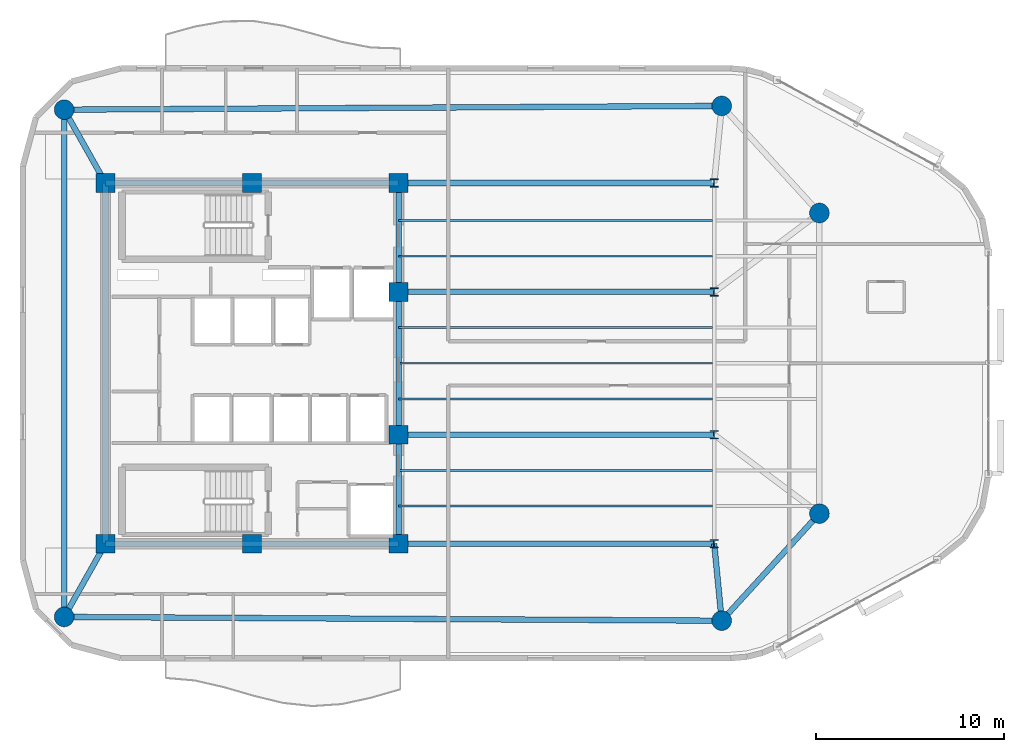
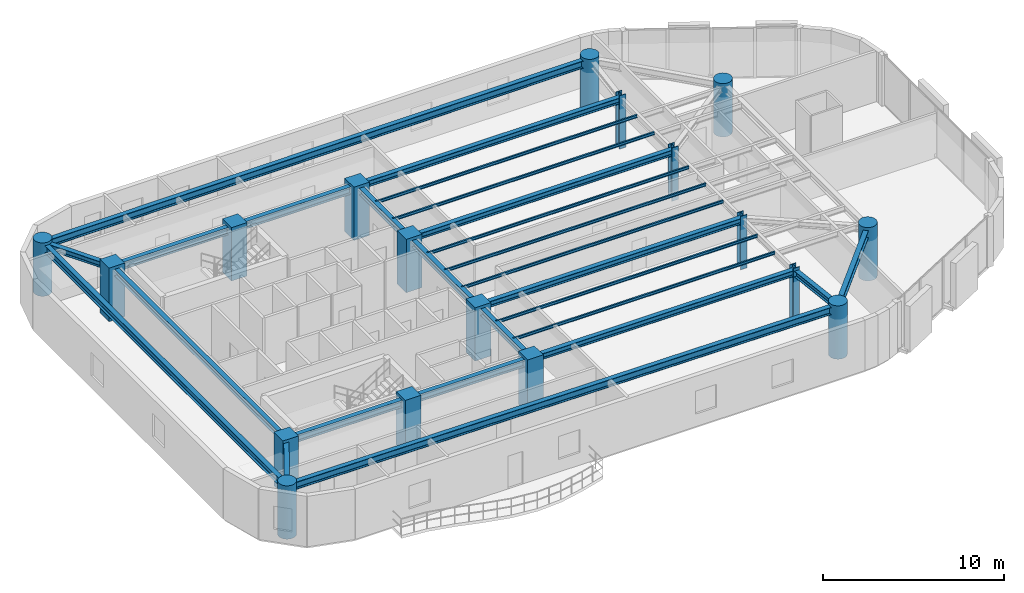
# One storey, part 1 of 13: 24 beams, 18 columns.
"""IFC4 building model written with IfcOpenShell, lengths in metres."""

import ifcopenshell
import ifcopenshell.guid

model = None  # the IFC model being written
_history = None  # IfcOwnerHistory: only IFC2X3 demands one
_inside = {}  # id of a spatial element -> (the spatial element, [elements in it])
_under = {}  # id of a project, library or spatial element -> (it, [spatial elements below it])
_declared = {}  # id of a project -> (the project, [libraries it declares])
_typed = {}  # id of a type object -> (the type object, [elements of that type])
_made_of = {}  # id of a material, layer set ... -> (it, [elements and type objects made of it])


def new_model(schema):
    """Start an empty IFC model of exactly this schema.

    Asked for "IFC4X3", IfcOpenShell would pick the latest addendum, in which some entities
    have other attributes; the version numbers below select the first issue.
    IFC2X3 requires an IfcOwnerHistory on every rooted entity: one is made here for all.
    """
    global model, _history
    if schema == "IFC4X3":
        model = ifcopenshell.file(schema_version=(4, 3, 0, 0))
    else:
        model = ifcopenshell.file(schema=schema)
    _inside.clear()
    _under.clear()
    _declared.clear()
    _typed.clear()
    _made_of.clear()
    _history = None
    if model.schema == "IFC2X3":
        org = make("IfcOrganization", Name="unknown")
        user = make(
            "IfcPersonAndOrganization",
            ThePerson=make("IfcPerson", FamilyName="unknown"),
            TheOrganization=org,
        )
        app = make(
            "IfcApplication",
            ApplicationDeveloper=org,
            Version="unknown",
            ApplicationFullName="unknown",
            ApplicationIdentifier="unknown",
        )
        _history = make(
            "IfcOwnerHistory",
            OwningUser=user,
            OwningApplication=app,
            ChangeAction="ADDED",
            CreationDate=0,
        )
    return model


def make(cls, **values):
    """One entity of the class cls with the attributes given. An attribute that is None is left unset."""
    return model.create_entity(
        cls, **{name: value for name, value in values.items() if value is not None}
    )


def rooted(cls, **values):
    """An entity with a GlobalId (a new one), such as an element, a storey or a relation."""
    return make(cls, GlobalId=ifcopenshell.guid.new(), OwnerHistory=_history, **values)


def si_unit(unit_type, name, prefix=None):
    """IfcSIUnit, for example si_unit("LENGTHUNIT", "METRE", prefix="MILLI")."""
    return make("IfcSIUnit", UnitType=unit_type, Prefix=prefix, Name=name)


def assignment(units):
    """IfcUnitAssignment: the units of a project."""
    return None if units is None else make("IfcUnitAssignment", Units=units)


def point(xyz):
    """IfcCartesianPoint."""
    return None if xyz is None else make("IfcCartesianPoint", Coordinates=xyz)


def direction(xyz):
    """IfcDirection."""
    return None if xyz is None else make("IfcDirection", DirectionRatios=xyz)


def frame(location, z_axis=None, x_axis=None):
    """IfcAxis2Placement3D, a coordinate frame: its origin and axes. An axis left out is left unset."""
    return make(
        "IfcAxis2Placement3D",
        Location=point(location),
        Axis=direction(z_axis),
        RefDirection=direction(x_axis),
    )


def frame_2d(location, x_axis=None):
    """IfcAxis2Placement2D, a coordinate frame in the plane: its origin and x axis."""
    return make(
        "IfcAxis2Placement2D", Location=point(location), RefDirection=direction(x_axis)
    )


def origin():
    """The frame at (0, 0, 0) with its axes left unset."""
    return frame((0.0, 0.0, 0.0))


def origin_2d():
    """The frame at (0, 0) in the plane with its x axis left unset."""
    return frame_2d((0.0, 0.0))


def place(relative_to, where):
    """IfcLocalPlacement: puts the frame where relative to a parent placement (None: the world)."""
    return make(
        "IfcLocalPlacement", PlacementRelTo=relative_to, RelativePlacement=where
    )


def context(
    kind, dimensions, precision=None, world=None, true_north=None, identifier=None
):
    """IfcGeometricRepresentationContext, for example the 3D "Model" context."""
    return make(
        "IfcGeometricRepresentationContext",
        ContextIdentifier=identifier,
        ContextType=kind,
        CoordinateSpaceDimension=dimensions,
        Precision=precision,
        WorldCoordinateSystem=world,
        TrueNorth=true_north,
    )


def subcontext(parent, identifier, kind, view, scale=None):
    """IfcGeometricRepresentationSubContext, for example "Body" below "Model"."""
    return make(
        "IfcGeometricRepresentationSubContext",
        ContextIdentifier=identifier,
        ContextType=kind,
        ParentContext=parent,
        TargetScale=scale,
        TargetView=view,
    )


def project(units=None, contexts=None):
    """IfcProject with its units and contexts."""
    return rooted(
        "IfcProject",
        Name="project",
        RepresentationContexts=contexts,
        UnitsInContext=assignment(units),
    )


def spatial(cls, under=None, at=None, **own):
    """A site, building, storey or space (cls), placed at a placement, below another one or the project."""
    s = rooted(cls, ObjectPlacement=at, **own)
    if under is not None:
        _under.setdefault(under.id(), (under, []))[1].append(s)
    return s


def profile(cls, at=None, kind="AREA", **sizes):
    """A parametric profile (cls). Its sizes go by their IFC names, for example OverallWidth=200.0."""
    return make(cls, ProfileType=kind, Position=at, **sizes)


def rectangle(**sizes):
    """IfcRectangleProfileDef."""
    return profile("IfcRectangleProfileDef", **sizes)


def circle(**sizes):
    """IfcCircleProfileDef."""
    return profile("IfcCircleProfileDef", **sizes)


def i_section(**sizes):
    """IfcIShapeProfileDef."""
    return profile("IfcIShapeProfileDef", **sizes)


def extrude(swept, where, along, depth):
    """IfcExtrudedAreaSolid: the profile swept, set in the frame where, extruded along a direction by depth."""
    return make(
        "IfcExtrudedAreaSolid",
        SweptArea=swept,
        Position=where,
        ExtrudedDirection=direction(along),
        Depth=depth,
    )


def shape(context_of_items, identifier, shape_type, items):
    """IfcShapeRepresentation: the items that make up one representation, for example the "Body"."""
    return make(
        "IfcShapeRepresentation",
        ContextOfItems=context_of_items,
        RepresentationIdentifier=identifier,
        RepresentationType=shape_type,
        Items=items,
    )


def material(Name=None, Category=None):
    """IfcMaterial."""
    return make("IfcMaterial", Name=Name, Category=Category)


def material_profile(
    of_material, cross_section, Name=None, Category=None, Priority=None
):
    """IfcMaterialProfile: a cross section and its material."""
    return make(
        "IfcMaterialProfile",
        Name=Name,
        Material=of_material,
        Profile=cross_section,
        Priority=Priority,
        Category=Category,
    )


def profile_set(profiles, Name=None, composite=None):
    """IfcMaterialProfileSet."""
    return make(
        "IfcMaterialProfileSet",
        Name=Name,
        MaterialProfiles=profiles,
        CompositeProfile=composite,
    )


def made_of(thing, what):
    """Note that an element or type object is made of a material, layer set ...; save() writes the relation."""
    if what is not None:
        _made_of.setdefault(what.id(), (what, []))[1].append(thing)
    return thing


def type_object(cls, material=None, **own):
    """A type object (cls), such as IfcWallType, which elements share."""
    return made_of(rooted(cls, **own), material)


def element(
    cls,
    number,
    at=None,
    inside=None,
    cuts=None,
    type_object=None,
    material=None,
    context=None,
    identifier="Body",
    shape_type=None,
    held_by="IfcProductDefinitionShape",
    body=None,
    shapes=None,
    **own,
):
    """One element of the class cls, such as IfcWall. Its Tag is "e" and its number.

    at: its placement. inside: the storey or other place that contains it. cuts: it is an
    opening in that element (IfcRelVoidsElement). A single representation is given by context,
    identifier, shape_type and body (its items); several are given by shapes. held_by: the class
    of the entity that holds the representations. save() writes the other relations.
    """
    e = rooted(cls, Tag="e%d" % number, ObjectPlacement=at, **own)
    if body is not None:
        shapes = [shape(context, identifier, shape_type, body)]
    if shapes is not None:
        e.Representation = make(held_by, Representations=shapes)
    if inside is not None:
        _inside.setdefault(inside.id(), (inside, []))[1].append(e)
    if cuts is not None:
        rooted(
            "IfcRelVoidsElement", RelatingBuildingElement=cuts, RelatedOpeningElement=e
        )
    if type_object is not None:
        _typed.setdefault(type_object.id(), (type_object, []))[1].append(e)
    return made_of(e, material)


def aggregate(whole, parts):
    """IfcRelAggregates: a whole, such as a stair, and the parts it consists of."""
    return rooted("IfcRelAggregates", RelatingObject=whole, RelatedObjects=parts)


def save(model, path):
    """Write the relations noted so far, then the file.

    IfcRelAggregates (storeys below a building ...), IfcRelContainedInSpatialStructure (elements
    in a storey), IfcRelDefinesByType, IfcRelAssociatesMaterial and IfcRelDeclares: one each for
    every whole, place, type object, material and project.
    """
    for whole, parts in _under.values():
        aggregate(whole, parts)
    for where, things in _inside.values():
        rooted(
            "IfcRelContainedInSpatialStructure",
            RelatedElements=things,
            RelatingStructure=where,
        )
    for kind, things in _typed.values():
        rooted("IfcRelDefinesByType", RelatedObjects=things, RelatingType=kind)
    for what, things in _made_of.values():
        rooted("IfcRelAssociatesMaterial", RelatedObjects=things, RelatingMaterial=what)
    for by, libraries in _declared.values():
        rooted("IfcRelDeclares", RelatingContext=by, RelatedDefinitions=libraries)
    model.write(path)


model = new_model("IFC4")

# Units and contexts
model_context = context("Model", 3, precision=1e-05, world=origin(), true_north=direction((0.0, 1.0)))
body_context = subcontext(model_context, "Body", "Model", "MODEL_VIEW")
ifc_project = project(units=[si_unit("LENGTHUNIT", "METRE"), si_unit("AREAUNIT", "SQUARE_METRE"), si_unit("VOLUMEUNIT", "CUBIC_METRE"), si_unit("PLANEANGLEUNIT", "RADIAN"), si_unit("MASSUNIT", "GRAM", prefix="KILO")], contexts=[model_context])

# Site, building, storey
site_placement = place(None, origin())
site = spatial("IfcSite", under=ifc_project, at=site_placement, CompositionType="ELEMENT")
building_placement = place(site_placement, origin())
building = spatial("IfcBuilding", under=site, at=building_placement, Name="An Khanh Terracotta Commons", CompositionType="ELEMENT")
storey_placement = place(building_placement, frame((0.0, 0.0, 201.300048828125)))
storey = spatial("IfcBuildingStorey", under=building, at=storey_placement, Name="L52", CompositionType="ELEMENT", Elevation=201.300048828125)

# Columns
ifc_material_1 = material(Name="Concrete C60/75", Category="concrete")
ifc_material_profile_1 = material_profile(ifc_material_1, circle(Radius=0.52490234375, at=origin_2d()), Name="CFST1050")
ifc_profile_set_1 = profile_set([ifc_material_profile_1], Name="Concrete C60/75")
column_type_1 = type_object("IfcColumnType", Name="COL-CFST1050", PredefinedType="COLUMN", material=ifc_profile_set_1)
for number, where, z_axis, x_axis, name in (
    (1, (19.39990234375, 10.5, 0.0), (0.0, 0.0, 1.0), (1.0, 0.0, 0.0), "L52 Perimeter CFST Mega-Column MC-01"),
    (2, (54.39990234375, 10.300048828125, 0.0), (0.0, 0.0, 1.0), (1.0, 0.0, 0.0), "L52 Perimeter CFST Mega-Column MC-02"),
    (3, (59.60009765625, 16.0, 0.0), (0.0, 0.0, 1.0), (1.0, 0.0, 0.0), "L52 Perimeter CFST Mega-Column MC-03"),
    (4, (59.60009765625, 32.0, 0.0), (0.0, 0.0, 1.0), (1.0, 0.0, 0.0), "L52 Perimeter CFST Mega-Column MC-04"),
    (5, (54.39990234375, 37.699951171875, 0.0), (0.0, 0.0, 1.0), (1.0, 0.0, 0.0), "L52 Perimeter CFST Mega-Column MC-05"),
    (6, (19.39990234375, 37.5, 0.0), (0.0, 0.0, 1.0), (1.0, 0.0, 0.0), "L52 Perimeter CFST Mega-Column MC-06"),
):
    element("IfcColumn", number, at=place(storey_placement, frame(where, z_axis=z_axis, x_axis=x_axis)), inside=storey, type_object=column_type_1, Name=name, PredefinedType="COLUMN", context=body_context, shape_type="SweptSolid", body=[
        extrude(circle(Radius=0.52490234375, at=origin_2d()), origin(), (0.0, 0.0, 1.0), 3.599853515625),
    ])
ifc_material_2 = material(Name="Steel S460ML", Category="steel")
ifc_material_profile_2 = material_profile(ifc_material_2, i_section(OverallWidth=0.406005859375, OverallDepth=0.43994140625, WebThickness=0.02392578125, FlangeThickness=0.0390625, FilletRadius=0.014892578125, at=origin_2d()), Name="HD400x314")
ifc_profile_set_2 = profile_set([ifc_material_profile_2], Name="Steel S460ML")
column_type_2 = type_object("IfcColumnType", Name="COL-HD400x314", PredefinedType="COLUMN", material=ifc_profile_set_2)
for number, where, z_axis, x_axis, name in (
    (7, (54.0, 14.39990234375, 0.0), (0.0, 0.0, 1.0), (1.0, 0.0, 0.0), "L52 Interior Frame Column TC-01"),
    (8, (54.0, 20.199951171875, 0.0), (0.0, 0.0, 1.0), (1.0, 0.0, 0.0), "L52 Interior Frame Column TC-02"),
    (9, (54.0, 27.800048828125, 0.0), (0.0, 0.0, 1.0), (1.0, 0.0, 0.0), "L52 Interior Frame Column TC-03"),
    (10, (54.0, 33.60009765625, 0.0), (0.0, 0.0, 1.0), (1.0, 0.0, 0.0), "L52 Interior Frame Column TC-04"),
):
    element("IfcColumn", number, at=place(storey_placement, frame(where, z_axis=z_axis, x_axis=x_axis)), inside=storey, type_object=column_type_2, Name=name, PredefinedType="COLUMN", context=body_context, shape_type="SweptSolid", body=[
        extrude(i_section(OverallWidth=0.406005859375, OverallDepth=0.43994140625, WebThickness=0.02392578125, FlangeThickness=0.0390625, FilletRadius=0.014892578125, at=origin_2d()), origin(), (0.0, 0.0, 1.0), 3.599853515625),
    ])
ifc_material_profile_3 = material_profile(ifc_material_1, rectangle(XDim=1.0, YDim=1.0, at=origin_2d()), Name="RC1000x1000")
ifc_profile_set_3 = profile_set([ifc_material_profile_3], Name="Concrete C60/75")
column_type_3 = type_object("IfcColumnType", Name="COL-RC1000x1000", PredefinedType="COLUMN", material=ifc_profile_set_3)
for number, where, z_axis, x_axis, name in (
    (11, (21.60009765625, 14.39990234375, 0.0), (0.0, 0.0, 1.0), (1.0, 0.0, 0.0), "L52 Core Boundary Column CC-01"),
    (12, (29.39990234375, 14.39990234375, 0.0), (0.0, 0.0, 1.0), (1.0, 0.0, 0.0), "L52 Core Boundary Column CC-02"),
    (13, (37.199951171875, 14.39990234375, 0.0), (0.0, 0.0, 1.0), (1.0, 0.0, 0.0), "L52 Core Boundary Column CC-03"),
    (14, (37.199951171875, 20.199951171875, 0.0), (0.0, 0.0, 1.0), (1.0, 0.0, 0.0), "L52 Core Boundary Column CC-04"),
    (15, (37.199951171875, 27.800048828125, 0.0), (0.0, 0.0, 1.0), (1.0, 0.0, 0.0), "L52 Core Boundary Column CC-05"),
    (16, (37.199951171875, 33.60009765625, 0.0), (0.0, 0.0, 1.0), (1.0, 0.0, 0.0), "L52 Core Boundary Column CC-06"),
    (17, (29.39990234375, 33.60009765625, 0.0), (0.0, 0.0, 1.0), (1.0, 0.0, 0.0), "L52 Core Boundary Column CC-07"),
    (18, (21.60009765625, 33.60009765625, 0.0), (0.0, 0.0, 1.0), (1.0, 0.0, 0.0), "L52 Core Boundary Column CC-08"),
):
    element("IfcColumn", number, at=place(storey_placement, frame(where, z_axis=z_axis, x_axis=x_axis)), inside=storey, type_object=column_type_3, Name=name, PredefinedType="COLUMN", context=body_context, shape_type="SweptSolid", body=[
        extrude(rectangle(XDim=1.0, YDim=1.0, at=origin_2d()), origin(), (0.0, 0.0, 1.0), 3.599853515625),
    ])

# Beams
ifc_material_3 = material(Name="Steel S355J2", Category="steel")
ifc_material_profile_4 = material_profile(ifc_material_3, i_section(OverallWidth=0.300048828125, OverallDepth=0.39990234375, WebThickness=0.013427734375, FlangeThickness=0.02392578125, FilletRadius=0.027099609375, at=origin_2d()), Name="HEB400")
ifc_profile_set_4 = profile_set([ifc_material_profile_4], Name="Steel S355J2")
beam_type_1 = type_object("IfcBeamType", Name="BM-HEB400", PredefinedType="BEAM", material=ifc_profile_set_4)
for number, where, z_axis, x_axis, name in (
    (19, (37.199951171875, 14.39990234375, 3.199951171875), (1.0, 0.0, 0.0), (0.0, 1.0, 0.0), "L52 East Primary Floor Girder 1"),
    (20, (37.199951171875, 20.199951171875, 3.199951171875), (1.0, 0.0, 0.0), (0.0, 1.0, 0.0), "L52 East Primary Floor Girder 2"),
    (21, (37.199951171875, 27.800048828125, 3.199951171875), (1.0, 0.0, 0.0), (0.0, 1.0, 0.0), "L52 East Primary Floor Girder 3"),
    (22, (37.199951171875, 33.60009765625, 3.199951171875), (1.0, 0.0, 0.0), (0.0, 1.0, 0.0), "L52 East Primary Floor Girder 4"),
):
    element("IfcBeam", number, at=place(storey_placement, frame(where, z_axis=z_axis, x_axis=x_axis)), inside=storey, type_object=beam_type_1, Name=name, PredefinedType="BEAM", context=body_context, shape_type="SweptSolid", body=[
        extrude(i_section(OverallWidth=0.300048828125, OverallDepth=0.39990234375, WebThickness=0.013427734375, FlangeThickness=0.02392578125, FilletRadius=0.027099609375, at=origin_2d()), origin(), (0.0, 0.0, 1.0), 16.800048828125),
    ])
beam_1_placement = place(storey_placement, frame((19.39990234375, 10.5, 3.199951171875), z_axis=(0.491363608436, 0.870954536302, 0.0), x_axis=(-0.870954536302, 0.491363608436, 0.0)))
element("IfcBeam", 23, at=beam_1_placement, inside=storey, type_object=beam_type_1, Name="L52 Mega-Column Tie Girder 1", PredefinedType="BEAM", context=body_context, shape_type="SweptSolid", body=[
    extrude(i_section(OverallWidth=0.300048828125, OverallDepth=0.39990234375, WebThickness=0.013427734375, FlangeThickness=0.02392578125, FilletRadius=0.027099609375, at=origin_2d()), origin(), (0.0, 0.0, 1.0), 4.477783203125),
])
beam_2_placement = place(storey_placement, frame((54.39990234375, 10.300048828125, 3.199951171875), z_axis=(-0.097079917443, 0.995276589511, 0.0), x_axis=(-0.995276589511, -0.097079917443, 0.0)))
element("IfcBeam", 24, at=beam_2_placement, inside=storey, type_object=beam_type_1, Name="L52 Mega-Column Tie Girder 2", PredefinedType="BEAM", context=body_context, shape_type="SweptSolid", body=[
    extrude(i_section(OverallWidth=0.300048828125, OverallDepth=0.39990234375, WebThickness=0.013427734375, FlangeThickness=0.02392578125, FilletRadius=0.027099609375, at=origin_2d()), origin(), (0.0, 0.0, 1.0), 4.119384765625),
])
beam_3_placement = place(storey_placement, frame((19.39990234375, 37.5, 3.199951171875), z_axis=(0.491363608436, -0.870954536302, 0.0), x_axis=(0.870954536302, 0.491363608436, 0.0)))
element("IfcBeam", 25, at=beam_3_placement, inside=storey, type_object=beam_type_1, Name="L52 Mega-Column Tie Girder 6", PredefinedType="BEAM", context=body_context, shape_type="SweptSolid", body=[
    extrude(i_section(OverallWidth=0.300048828125, OverallDepth=0.39990234375, WebThickness=0.013427734375, FlangeThickness=0.02392578125, FilletRadius=0.027099609375, at=origin_2d()), origin(), (0.0, 0.0, 1.0), 4.477783203125),
])
ifc_material_profile_5 = material_profile(ifc_material_3, i_section(OverallWidth=0.300048828125, OverallDepth=0.449951171875, WebThickness=0.013916015625, FlangeThickness=0.02587890625, FilletRadius=0.027099609375, at=origin_2d()), Name="HEB450")
ifc_profile_set_5 = profile_set([ifc_material_profile_5], Name="Steel S355J2")
beam_type_2 = type_object("IfcBeamType", Name="BM-HEB450", PredefinedType="BEAM", material=ifc_profile_set_5)
beam_4_placement = place(storey_placement, frame((37.199951171875, 14.39990234375, 3.175048828125), z_axis=(0.0, 1.0, 0.0), x_axis=(-1.0, 0.0, 0.0)))
element("IfcBeam", 26, at=beam_4_placement, inside=storey, type_object=beam_type_2, Name="L52 Core East Coupling Girder 1", PredefinedType="BEAM", context=body_context, shape_type="SweptSolid", body=[
    extrude(i_section(OverallWidth=0.300048828125, OverallDepth=0.449951171875, WebThickness=0.013916015625, FlangeThickness=0.02587890625, FilletRadius=0.027099609375, at=origin_2d()), origin(), (0.0, 0.0, 1.0), 5.800048828125),
])
beam_5_placement = place(storey_placement, frame((37.199951171875, 20.199951171875, 3.175048828125), z_axis=(0.0, 1.0, 0.0), x_axis=(-1.0, 0.0, 0.0)))
element("IfcBeam", 27, at=beam_5_placement, inside=storey, type_object=beam_type_2, Name="L52 Core East Coupling Girder 2", PredefinedType="BEAM", context=body_context, shape_type="SweptSolid", body=[
    extrude(i_section(OverallWidth=0.300048828125, OverallDepth=0.449951171875, WebThickness=0.013916015625, FlangeThickness=0.02587890625, FilletRadius=0.027099609375, at=origin_2d()), origin(), (0.0, 0.0, 1.0), 7.60009765625),
])
beam_6_placement = place(storey_placement, frame((37.199951171875, 27.800048828125, 3.175048828125), z_axis=(0.0, 1.0, 0.0), x_axis=(-1.0, 0.0, 0.0)))
element("IfcBeam", 28, at=beam_6_placement, inside=storey, type_object=beam_type_2, Name="L52 Core East Coupling Girder 3", PredefinedType="BEAM", context=body_context, shape_type="SweptSolid", body=[
    extrude(i_section(OverallWidth=0.300048828125, OverallDepth=0.449951171875, WebThickness=0.013916015625, FlangeThickness=0.02587890625, FilletRadius=0.027099609375, at=origin_2d()), origin(), (0.0, 0.0, 1.0), 5.800048828125),
])
beam_7_placement = place(storey_placement, frame((21.60009765625, 14.39990234375, 3.175048828125), z_axis=(0.0, 1.0, 0.0), x_axis=(-1.0, 0.0, 0.0)))
element("IfcBeam", 29, at=beam_7_placement, inside=storey, type_object=beam_type_2, Name="L52 Core West Coupling Girder", PredefinedType="BEAM", context=body_context, shape_type="SweptSolid", body=[
    extrude(i_section(OverallWidth=0.300048828125, OverallDepth=0.449951171875, WebThickness=0.013916015625, FlangeThickness=0.02587890625, FilletRadius=0.027099609375, at=origin_2d()), origin(), (0.0, 0.0, 1.0), 19.2001953125),
])
ifc_material_profile_6 = material_profile(ifc_material_3, i_section(OverallWidth=0.300048828125, OverallDepth=0.5, WebThickness=0.014404296875, FlangeThickness=0.028076171875, FilletRadius=0.027099609375, at=origin_2d()), Name="HEB500")
ifc_profile_set_6 = profile_set([ifc_material_profile_6], Name="Steel S355J2")
beam_type_3 = type_object("IfcBeamType", Name="BM-HEB500", PredefinedType="BEAM", material=ifc_profile_set_6)
for number, where, z_axis, x_axis, name in (
    (30, (21.60009765625, 14.39990234375, 3.14990234375), (1.0, 0.0, 0.0), (0.0, 1.0, 0.0), "L52 Core South Coupling Girder"),
    (31, (21.60009765625, 33.60009765625, 3.14990234375), (1.0, 0.0, 0.0), (0.0, 1.0, 0.0), "L52 Core North Coupling Girder"),
):
    element("IfcBeam", number, at=place(storey_placement, frame(where, z_axis=z_axis, x_axis=x_axis)), inside=storey, type_object=beam_type_3, Name=name, PredefinedType="BEAM", context=body_context, shape_type="SweptSolid", body=[
        extrude(i_section(OverallWidth=0.300048828125, OverallDepth=0.5, WebThickness=0.014404296875, FlangeThickness=0.028076171875, FilletRadius=0.027099609375, at=origin_2d()), origin(), (0.0, 0.0, 1.0), 15.599853515625),
    ])
beam_8_placement = place(storey_placement, frame((19.39990234375, 10.5, 3.14990234375), z_axis=(0.99998368184, -0.005712797401, 0.0), x_axis=(0.005712797401, 0.99998368184, 0.0)))
element("IfcBeam", 32, at=beam_8_placement, inside=storey, type_object=beam_type_3, Name="L52 Perimeter Ring Spandrel 1", PredefinedType="BEAM", context=body_context, shape_type="SweptSolid", body=[
    extrude(i_section(OverallWidth=0.300048828125, OverallDepth=0.5, WebThickness=0.014404296875, FlangeThickness=0.028076171875, FilletRadius=0.027099609375, at=origin_2d()), origin(), (0.0, 0.0, 1.0), 35.00048828125),
])
beam_9_placement = place(storey_placement, frame((54.39990234375, 10.300048828125, 3.14990234375), z_axis=(0.673978953902, 0.738750546326, 0.0), x_axis=(-0.738750546326, 0.673978953902, 0.0)))
element("IfcBeam", 33, at=beam_9_placement, inside=storey, type_object=beam_type_3, Name="L52 Perimeter Ring Spandrel 2", PredefinedType="BEAM", context=body_context, shape_type="SweptSolid", body=[
    extrude(i_section(OverallWidth=0.300048828125, OverallDepth=0.5, WebThickness=0.014404296875, FlangeThickness=0.028076171875, FilletRadius=0.027099609375, at=origin_2d()), origin(), (0.0, 0.0, 1.0), 7.715576171875),
])
beam_10_placement = place(storey_placement, frame((54.39990234375, 37.699951171875, 3.14990234375), z_axis=(-0.99998368184, -0.005712797401, 0.0), x_axis=(0.005712797401, -0.99998368184, 0.0)))
element("IfcBeam", 34, at=beam_10_placement, inside=storey, type_object=beam_type_3, Name="L52 Perimeter Ring Spandrel 5", PredefinedType="BEAM", context=body_context, shape_type="SweptSolid", body=[
    extrude(i_section(OverallWidth=0.300048828125, OverallDepth=0.5, WebThickness=0.014404296875, FlangeThickness=0.028076171875, FilletRadius=0.027099609375, at=origin_2d()), origin(), (0.0, 0.0, 1.0), 35.00048828125),
])
beam_11_placement = place(storey_placement, frame((19.39990234375, 37.5, 3.14990234375), z_axis=(0.0, -1.0, 0.0), x_axis=(1.0, 0.0, 0.0)))
element("IfcBeam", 35, at=beam_11_placement, inside=storey, type_object=beam_type_3, Name="L52 Perimeter Ring Spandrel 6", PredefinedType="BEAM", context=body_context, shape_type="SweptSolid", body=[
    extrude(i_section(OverallWidth=0.300048828125, OverallDepth=0.5, WebThickness=0.014404296875, FlangeThickness=0.028076171875, FilletRadius=0.027099609375, at=origin_2d()), origin(), (0.0, 0.0, 1.0), 27.0),
])
ifc_material_profile_7 = material_profile(ifc_material_3, i_section(OverallWidth=0.10009765625, OverallDepth=0.199951171875, WebThickness=0.005615234375, FlangeThickness=0.008544921875, FilletRadius=0.011962890625, at=origin_2d()), Name="IPE200")
ifc_profile_set_7 = profile_set([ifc_material_profile_7], Name="Steel S355J2")
beam_type_4 = type_object("IfcBeamType", Name="BM-IPE200", PredefinedType="JOIST", material=ifc_profile_set_7)
for number, where, z_axis, x_axis, name in (
    (36, (37.199951171875, 16.39990234375, 3.300048828125), (1.0, 0.0, 0.0), (0.0, 1.0, 0.0), "L52 Inboard Composite Joist 1"),
    (37, (37.199951171875, 18.300048828125, 3.300048828125), (1.0, 0.0, 0.0), (0.0, 1.0, 0.0), "L52 Inboard Composite Joist 2"),
    (38, (37.199951171875, 22.10009765625, 3.300048828125), (1.0, 0.0, 0.0), (0.0, 1.0, 0.0), "L52 Inboard Composite Joist 3"),
    (39, (37.199951171875, 24.0, 3.300048828125), (1.0, 0.0, 0.0), (0.0, 1.0, 0.0), "L52 Inboard Composite Joist 4"),
    (40, (37.199951171875, 25.89990234375, 3.300048828125), (1.0, 0.0, 0.0), (0.0, 1.0, 0.0), "L52 Inboard Composite Joist 5"),
    (41, (37.199951171875, 29.699951171875, 3.300048828125), (1.0, 0.0, 0.0), (0.0, 1.0, 0.0), "L52 Inboard Composite Joist 6"),
    (42, (37.199951171875, 31.60009765625, 3.300048828125), (1.0, 0.0, 0.0), (0.0, 1.0, 0.0), "L52 Inboard Composite Joist 7"),
):
    element("IfcBeam", number, at=place(storey_placement, frame(where, z_axis=z_axis, x_axis=x_axis)), inside=storey, type_object=beam_type_4, Name=name, PredefinedType="JOIST", context=body_context, shape_type="SweptSolid", body=[
        extrude(i_section(OverallWidth=0.10009765625, OverallDepth=0.199951171875, WebThickness=0.005615234375, FlangeThickness=0.008544921875, FilletRadius=0.011962890625, at=origin_2d()), origin(), (0.0, 0.0, 1.0), 16.705078125),
    ])

save(model, "model.ifc")
